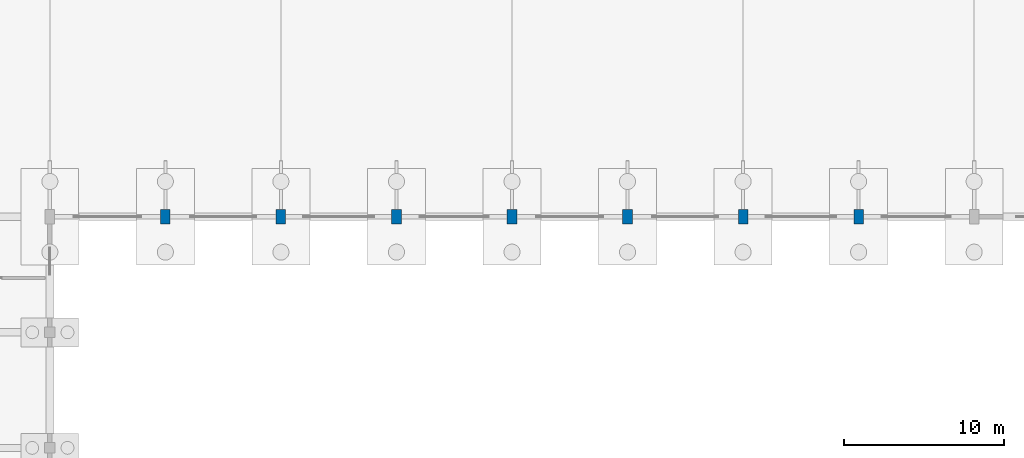
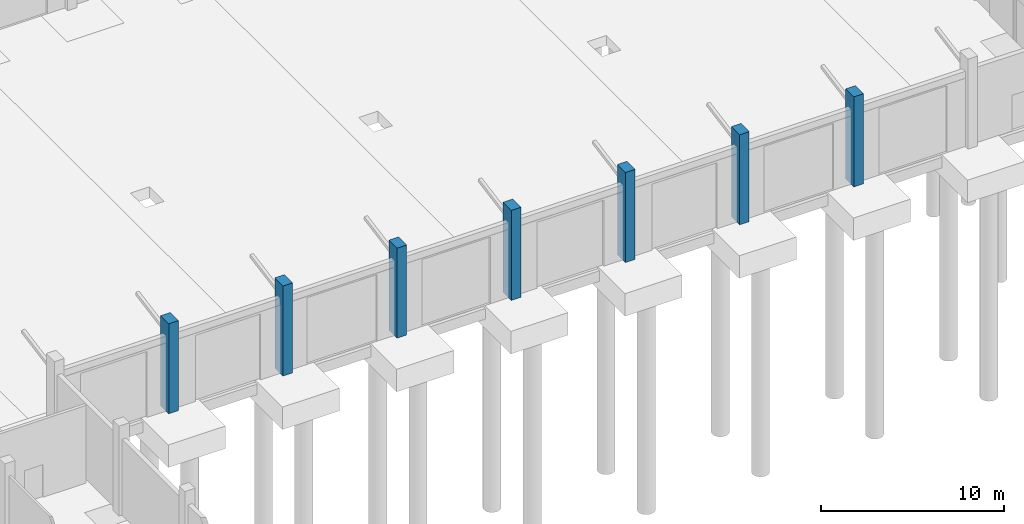
# One storey, part 8 of 45: 7 columns.
"""IFC4 building model written with IfcOpenShell, lengths in metres."""

from ifc_helpers import new_model, si_unit, direction, frame, origin, origin_2d, place, context, subcontext, project, spatial, rectangle, extrude, material, material_profile, profile_set, type_object, element, save


model = new_model("IFC4")

# Units and contexts
model_context = context("Model", 3, precision=1e-05, world=origin(), true_north=direction((0.0, 1.0)))
body_context = subcontext(model_context, "Body", "Model", "MODEL_VIEW")
ifc_project = project(units=[si_unit("LENGTHUNIT", "METRE"), si_unit("AREAUNIT", "SQUARE_METRE"), si_unit("VOLUMEUNIT", "CUBIC_METRE"), si_unit("PLANEANGLEUNIT", "RADIAN"), si_unit("MASSUNIT", "GRAM", prefix="KILO")], contexts=[model_context])

# Site, building, storey
site_placement = place(None, origin())
site = spatial("IfcSite", under=ifc_project, at=site_placement, CompositionType="ELEMENT")
building_placement = place(site_placement, origin())
building = spatial("IfcBuilding", under=site, at=building_placement, Name="Yarey Park Central Fire Station", CompositionType="ELEMENT")
storey_placement = place(building_placement, origin())
storey = spatial("IfcBuildingStorey", under=building, at=storey_placement, Name="L01", CompositionType="ELEMENT", Elevation=0.0)

# Columns
ifc_material = material(Name="Concrete C40/50", Category="concrete")
ifc_material_profile = material_profile(ifc_material, rectangle(XDim=0.60009765625, YDim=0.89990234375, at=origin_2d()), Name="RC 900x600")
ifc_profile_set = profile_set([ifc_material_profile], Name="Concrete C40/50")
column_type = type_object("IfcColumnType", Name="STR_PIER_ARCH", PredefinedType="PILASTER", material=ifc_profile_set)
for number, where, z_axis, x_axis, name in (
    (1, (79.199951171875, 57.60009765625, 0.0), (0.0, 0.0, 1.0), (1.0, 0.0, 0.0), "COL_L01_X792_Y576"),
    (2, (86.39990234375, 57.60009765625, 0.0), (0.0, 0.0, 1.0), (1.0, 0.0, 0.0), "COL_L01_X864_Y576"),
    (3, (93.60009765625, 57.60009765625, 0.0), (0.0, 0.0, 1.0), (1.0, 0.0, 0.0), "COL_L01_X936_Y576"),
    (4, (100.800048828125, 57.60009765625, 0.0), (0.0, 0.0, 1.0), (1.0, 0.0, 0.0), "COL_L01_X1008_Y576"),
    (5, (108.0, 57.60009765625, 0.0), (0.0, 0.0, 1.0), (1.0, 0.0, 0.0), "COL_L01_X1080_Y576"),
    (6, (115.199951171875, 57.60009765625, 0.0), (0.0, 0.0, 1.0), (1.0, 0.0, 0.0), "COL_L01_X1152_Y576"),
    (7, (122.39990234375, 57.60009765625, 0.0), (0.0, 0.0, 1.0), (1.0, 0.0, 0.0), "COL_L01_X1224_Y576"),
):
    element("IfcColumn", number, at=place(storey_placement, frame(where, z_axis=z_axis, x_axis=x_axis)), inside=storey, type_object=column_type, Name=name, PredefinedType="PILASTER", context=body_context, shape_type="SweptSolid", body=[
        extrude(rectangle(XDim=0.60009765625, YDim=0.89990234375, at=origin_2d()), origin(), (0.0, 0.0, 1.0), 6.0),
    ])

save(model, "model.ifc")
